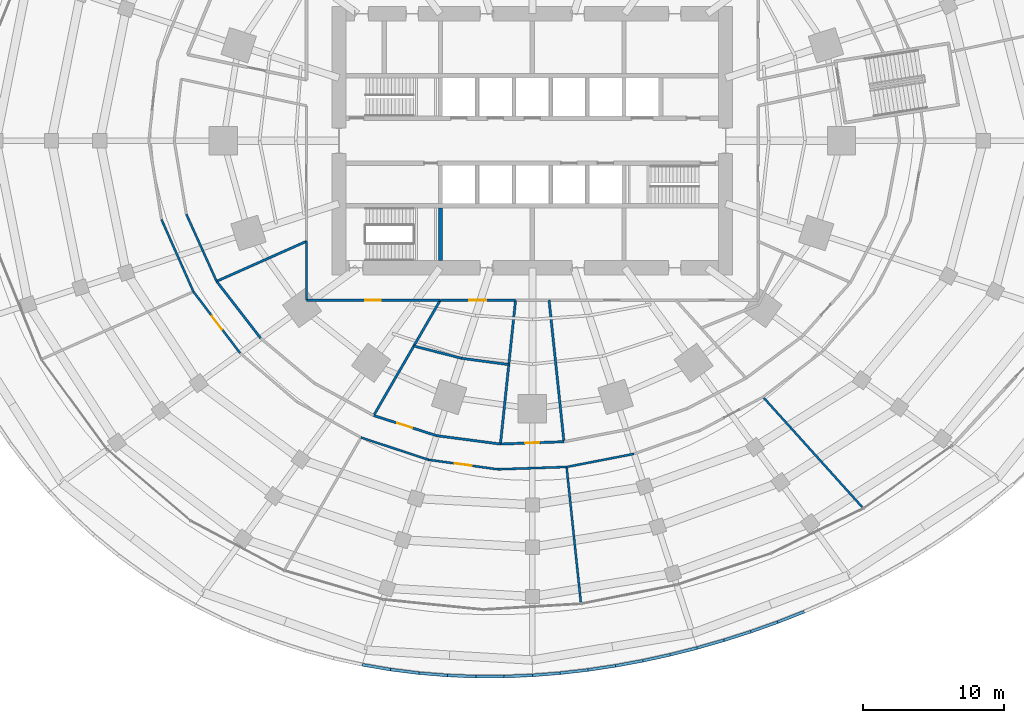
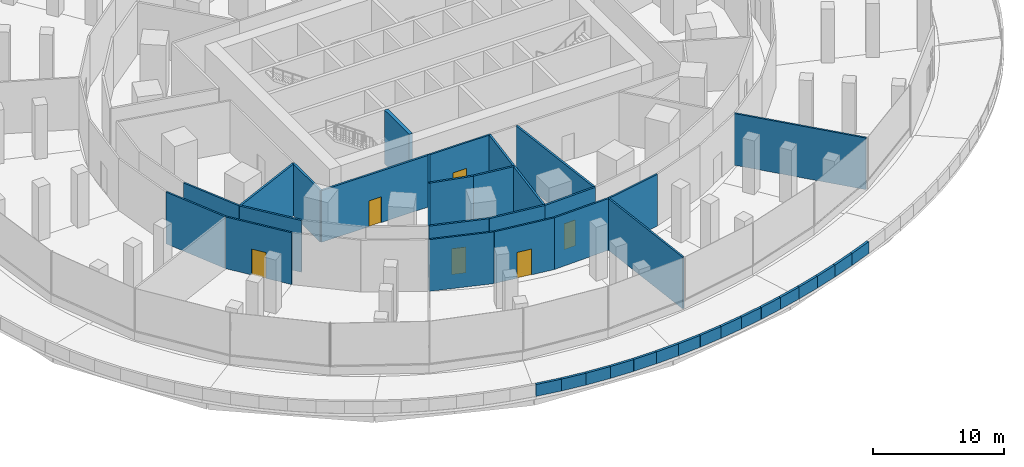
# One storey, part 22 of 31: 39 walls, 6 doors, 6 openings.
"""IFC4 building model written with IfcOpenShell, lengths in metres."""

from ifc_helpers import new_model, si_unit, direction, frame, frame_2d, origin, place, context, subcontext, project, spatial, rectangle, extrude, material, layer, layer_set, type_object, element, fill, save


model = new_model("IFC4")

# Units and contexts
model_context = context("Model", 3, precision=1e-05, world=origin(), true_north=direction((0.0, 1.0)))
body_context = subcontext(model_context, "Body", "Model", "MODEL_VIEW")
ifc_project = project(units=[si_unit("LENGTHUNIT", "METRE"), si_unit("AREAUNIT", "SQUARE_METRE"), si_unit("VOLUMEUNIT", "CUBIC_METRE"), si_unit("PLANEANGLEUNIT", "RADIAN"), si_unit("MASSUNIT", "GRAM", prefix="KILO")], contexts=[model_context])

# Site, building, storey
site_placement = place(None, origin())
site = spatial("IfcSite", under=ifc_project, at=site_placement, CompositionType="ELEMENT")
building_placement = place(site_placement, origin())
building = spatial("IfcBuilding", under=site, at=building_placement, Name="Marramba Exchange Tower", CompositionType="ELEMENT")
storey_placement = place(building_placement, frame((0.0, 0.0, 5.60009765625)))
storey = spatial("IfcBuildingStorey", under=building, at=storey_placement, Name="L01", CompositionType="ELEMENT", Elevation=5.60009765625)

# Walls
ifc_material_1 = material(Name="Plasterboard on staggered double steel studs, acoustic insulation", Category="steel")
ifc_layer_1 = layer(ifc_material_1, 0.169921875)
ifc_layer_set_1 = layer_set([ifc_layer_1], Name="Acoustic partition 170")
wall_type_1 = type_object("IfcWallType", Name="Acoustic partition 170", PredefinedType="PARTITIONING", material=ifc_layer_set_1)
wall_1_placement = place(storey_placement, frame((-16.0, -7.123779296875, 0.0), z_axis=(0.0, 0.0, 1.0), x_axis=(-0.913555829465, -0.406713346781, 0.0)))
element("IfcWall", 1, at=wall_1_placement, inside=storey, type_object=wall_type_1, Name="Acoustic partition L01 07", PredefinedType="PARTITIONING", context=body_context, shape_type="SweptSolid", body=[
    extrude(rectangle(XDim=6.973388671875, YDim=0.169921875, at=frame_2d((3.48681640625, 0.0))), origin(), (0.0, 0.0, 1.0), 4.7998046875),
])
wall_2_placement = place(storey_placement, frame((-19.251953125, -13.9873046875, 0.0), z_axis=(0.0, 0.0, 1.0), x_axis=(-0.612260193331, 0.790656344856, 0.0)))
element("IfcWall", 2, at=wall_2_placement, inside=storey, type_object=wall_type_1, Name="Acoustic partition L01 08", PredefinedType="PARTITIONING", context=body_context, shape_type="SweptSolid", body=[
    extrude(rectangle(XDim=5.09375, YDim=0.169921875, at=frame_2d((2.546875, 0.0))), origin(), (0.0, 0.0, 1.0), 4.7998046875),
])
wall_3_placement = place(storey_placement, frame((-16.0, -7.123779296875, 0.0), z_axis=(0.0, 0.0, 1.0), x_axis=(0.0, -1.0, 0.0)))
element("IfcWall", 3, at=wall_3_placement, inside=storey, type_object=wall_type_1, Name="Acoustic partition L01 10", PredefinedType="PARTITIONING", context=body_context, shape_type="SweptSolid", body=[
    extrude(rectangle(XDim=4.17626953125, YDim=0.169921875, at=frame_2d((2.088134765625, 0.0))), origin(), (0.0, 0.0, 1.0), 4.7998046875),
])

# Wall, opening, door
wall_4_placement = place(storey_placement, frame((-16.0, -11.300048828125, 0.0), z_axis=(0.0, 0.0, 1.0), x_axis=(1.0, 0.0, 0.0)))
wall_4 = element("IfcWall", 4, at=wall_4_placement, inside=storey, type_object=wall_type_1, Name="Acoustic partition L01 13", PredefinedType="PARTITIONING", context=body_context, shape_type="SweptSolid", body=[
    extrude(rectangle(XDim=9.475830078125, YDim=0.169921875, at=frame_2d((4.73779296875, 0.0))), origin(), (0.0, 0.0, 1.0), 4.7998046875),
])
opening_1_placement = place(wall_4_placement, frame((4.1630859375, 0.0, 0.0)))
opening_1 = element("IfcOpeningElement", 5, at=opening_1_placement, cuts=wall_4, Name="Opening D15", PredefinedType="OPENING", context=body_context, shape_type="SweptSolid", body=[
    extrude(rectangle(XDim=1.10009765625, YDim=2.39990234375, at=frame_2d((0.550048828125, 1.199951171875))), frame((0.0, 0.094970703125, 0.0), z_axis=(0.0, -1.0, 0.0), x_axis=(1.0, 0.0, 0.0)), (0.0, 0.0, 1.0), 0.18994140625),
])
ifc_material_2 = material(Name="Timber door", Category="wood")
door_type_1 = type_object("IfcDoorType", Name="Glazed meeting room door 1100x2400", OperationType="SINGLE_SWING_LEFT", PredefinedType="DOOR", material=ifc_material_2)
door_1_placement = place(opening_1_placement, origin())
door_1 = element("IfcDoor", 6, at=door_1_placement, inside=storey, type_object=door_type_1, Name="D15 Meeting Room 2 L01", OperationType="SINGLE_SWING_LEFT", OverallHeight=2.39990234375, OverallWidth=1.10009765625, PredefinedType="DOOR", context=body_context, shape_type="SweptSolid", body=[
    extrude(rectangle(XDim=1.10009765625, YDim=2.39990234375, at=frame_2d((0.550048828125, 1.199951171875))), frame((0.0, 0.02490234375, 0.0), z_axis=(0.0, -1.0, 0.0), x_axis=(1.0, 0.0, 0.0)), (0.0, 0.0, 1.0), 0.050048828125),
])
fill(opening_1, door_1)

# Walls
wall_5_placement = place(storey_placement, frame((-6.524169921875, -11.300048828125, 0.0), z_axis=(0.0, 0.0, 1.0), x_axis=(-0.499991277142, -0.86603043987, 0.0)))
element("IfcWall", 7, at=wall_5_placement, inside=storey, type_object=wall_type_1, Name="Acoustic partition L01 16", PredefinedType="PARTITIONING", context=body_context, shape_type="SweptSolid", body=[
    extrude(rectangle(XDim=9.433837890625, YDim=0.169921875, at=frame_2d((4.716796875, 0.0))), origin(), (0.0, 0.0, 1.0), 4.7998046875),
])
wall_6_placement = place(storey_placement, frame((-5.00830078125, -15.414306640625, 0.0), z_axis=(0.0, 0.0, 1.0), x_axis=(-0.968562622374, 0.248769866625, 0.0)))
element("IfcWall", 8, at=wall_6_placement, inside=storey, type_object=wall_type_1, Name="Acoustic partition L01 18", PredefinedType="PARTITIONING", context=body_context, shape_type="SweptSolid", body=[
    extrude(rectangle(XDim=3.498779296875, YDim=0.169921875, at=frame_2d((1.74951171875, 0.0))), origin(), (0.0, 0.0, 1.0), 4.7998046875),
])

# Wall, opening, door
wall_7_placement = place(storey_placement, frame((-6.78955078125, -20.896240234375, 0.0), z_axis=(0.0, 0.0, 1.0), x_axis=(-0.952311283162, 0.305128202503, 0.0)))
wall_7 = element("IfcWall", 9, at=wall_7_placement, inside=storey, type_object=wall_type_1, Name="Acoustic partition L01 19", PredefinedType="PARTITIONING", context=body_context, shape_type="SweptSolid", body=[
    extrude(rectangle(XDim=4.67431640625, YDim=0.169921875, at=frame_2d((2.337158203125, 0.0))), origin(), (0.0, 0.0, 1.0), 4.7998046875),
])
opening_2_placement = place(wall_7_placement, frame((1.81201171875, 0.0, 0.0)))
opening_2 = element("IfcOpeningElement", 10, at=opening_2_placement, cuts=wall_7, Name="Opening D15", PredefinedType="OPENING", context=body_context, shape_type="SweptSolid", body=[
    extrude(rectangle(XDim=1.10009765625, YDim=2.39990234375, at=frame_2d((0.550048828125, 1.199951171875))), frame((0.0, 0.094970703125, 0.0), z_axis=(0.0, -1.0, 0.0), x_axis=(1.0, 0.0, 0.0)), (0.0, 0.0, 1.0), 0.18994140625),
])
door_2_placement = place(opening_2_placement, frame((1.10009765625, 0.0, 0.0), z_axis=(0.0, 0.0, 1.0), x_axis=(-1.0, 0.0, 0.0)))
door_2 = element("IfcDoor", 11, at=door_2_placement, inside=storey, type_object=door_type_1, Name="D15 Meeting Room 5 L01", OperationType="SINGLE_SWING_LEFT", OverallHeight=2.39990234375, OverallWidth=1.10009765625, PredefinedType="DOOR", context=body_context, shape_type="SweptSolid", body=[
    extrude(rectangle(XDim=1.10009765625, YDim=2.39990234375, at=frame_2d((0.550048828125, 1.199951171875))), frame((0.0, 0.025146484375, 0.0), z_axis=(0.0, -1.0, 0.0), x_axis=(1.0, 0.0, 0.0)), (0.0, 0.0, 1.0), 0.050048828125),
])
fill(opening_2, door_2)

# Walls
wall_8_placement = place(storey_placement, frame((-2.2587890625, -21.4912109375, 0.0), z_axis=(0.0, 0.0, 1.0), x_axis=(-0.991487722643, 0.130200214467, 0.0)))
element("IfcWall", 12, at=wall_8_placement, inside=storey, type_object=wall_type_1, Name="Acoustic partition L01 22", PredefinedType="PARTITIONING", context=body_context, shape_type="SweptSolid", body=[
    extrude(rectangle(XDim=4.569580078125, YDim=0.169921875, at=frame_2d((2.28466796875, 0.0))), origin(), (0.0, 0.0, 1.0), 4.7998046875),
])
wall_9_placement = place(storey_placement, frame((-1.6669921875, -15.861083984375, 0.0), z_axis=(0.0, 0.0, 1.0), x_axis=(-0.991178495561, 0.132533731322, 0.0)))
element("IfcWall", 13, at=wall_9_placement, inside=storey, type_object=wall_type_1, Name="Acoustic partition L01 23", PredefinedType="PARTITIONING", context=body_context, shape_type="SweptSolid", body=[
    extrude(rectangle(XDim=3.37109375, YDim=0.169921875, at=frame_2d((1.685546875, 0.0))), origin(), (0.0, 0.0, 1.0), 4.7998046875),
])
wall_10_placement = place(storey_placement, frame((-2.2587890625, -21.4912109375, 0.0), z_axis=(0.0, 0.0, 1.0), x_axis=(0.104519836442, 0.994522802046, 0.0)))
element("IfcWall", 14, at=wall_10_placement, inside=storey, type_object=wall_type_1, Name="Acoustic partition L01 25", PredefinedType="PARTITIONING", context=body_context, shape_type="SweptSolid", body=[
    extrude(rectangle(XDim=10.247314453125, YDim=0.169921875, at=frame_2d((5.12353515625, 0.0))), origin(), (0.0, 0.0, 1.0), 4.7998046875),
])

# Wall, opening, door
wall_11_placement = place(storey_placement, frame((2.2412109375, -21.32470703125, 0.0), z_axis=(0.0, 0.0, 1.0), x_axis=(-0.999316169957, -0.03697556575, 0.0)))
wall_11 = element("IfcWall", 15, at=wall_11_placement, inside=storey, type_object=wall_type_1, Name="Acoustic partition L01 26", PredefinedType="PARTITIONING", context=body_context, shape_type="SweptSolid", body=[
    extrude(rectangle(XDim=4.503173828125, YDim=0.169921875, at=frame_2d((2.25146484375, 0.0))), origin(), (0.0, 0.0, 1.0), 4.7998046875),
])
opening_3_placement = place(wall_11_placement, frame((1.751953125, 0.0, 0.0)))
opening_3 = element("IfcOpeningElement", 16, at=opening_3_placement, cuts=wall_11, Name="Opening D9", PredefinedType="OPENING", context=body_context, shape_type="SweptSolid", body=[
    extrude(rectangle(XDim=1.0, YDim=2.39990234375, at=frame_2d((0.5, 1.199951171875))), frame((0.0, 0.094970703125, 0.0), z_axis=(0.0, -1.0, 0.0), x_axis=(1.0, 0.0, 0.0)), (0.0, 0.0, 1.0), 0.18994140625),
])
door_type_2 = type_object("IfcDoorType", Name="Room door 1000x2400", OperationType="SINGLE_SWING_LEFT", PredefinedType="DOOR", material=ifc_material_2)
door_3_placement = place(opening_3_placement, frame((1.0, 0.0, 0.0), z_axis=(0.0, 0.0, 1.0), x_axis=(-1.0, 0.0, 0.0)))
door_3 = element("IfcDoor", 17, at=door_3_placement, inside=storey, type_object=door_type_2, Name="D9 Interview Room 1 L01", OperationType="SINGLE_SWING_RIGHT", OverallHeight=2.39990234375, OverallWidth=1.0, PredefinedType="DOOR", context=body_context, shape_type="SweptSolid", body=[
    extrude(rectangle(XDim=1.0, YDim=2.39990234375, at=frame_2d((0.5, 1.199951171875))), frame((0.0, 0.025146484375, 0.0), z_axis=(0.0, -1.0, 0.0), x_axis=(1.0, 0.0, 0.0)), (0.0, 0.0, 1.0), 0.050048828125),
])
fill(opening_3, door_3)

# Walls
wall_12_placement = place(storey_placement, frame((1.187744140625, -11.300048828125, 0.0), z_axis=(0.0, 0.0, 1.0), x_axis=(0.104512053293, -0.994523619989, 0.0)))
element("IfcWall", 18, at=wall_12_placement, inside=storey, type_object=wall_type_1, Name="Acoustic partition L01 28", PredefinedType="PARTITIONING", context=body_context, shape_type="SweptSolid", body=[
    extrude(rectangle(XDim=10.079833984375, YDim=0.169921875, at=frame_2d((5.0400390625, 0.0))), origin(), (0.0, 0.0, 1.0), 4.7998046875),
])
ifc_material_3 = material(Name="Concrete N50", Category="concrete")
ifc_layer_2 = layer(ifc_material_3, 0.300048828125)
ifc_layer_set_2 = layer_set([ifc_layer_2], Name="Core wall 300")
wall_type_2 = type_object("IfcWallType", Name="Core wall 300", PredefinedType="SHEAR", material=ifc_layer_set_2)
wall_13_placement = place(storey_placement, frame((-6.5, -4.75, 0.0), z_axis=(0.0, 0.0, 1.0), x_axis=(0.0, -1.0, 0.0)))
element("IfcWall", 19, at=wall_13_placement, inside=storey, type_object=wall_type_2, Name="Core wall X0Sb L01", PredefinedType="SHEAR", context=body_context, shape_type="SweptSolid", body=[
    extrude(rectangle(XDim=3.75, YDim=0.300048828125, at=frame_2d((1.875, 0.0))), origin(), (0.0, 0.0, 1.0), 5.0),
])
ifc_material_4 = material(Name="Concrete N40", Category="concrete")
ifc_layer_3 = layer(ifc_material_4, 0.199951171875)
ifc_layer_set_3 = layer_set([ifc_layer_3], Name="Roof parapet 200")
wall_type_3 = type_object("IfcWallType", Name="Roof parapet 200", PredefinedType="PARAPET", material=ifc_layer_set_3)
wall_14_placement = place(storey_placement, frame((-12.0625, -37.12451171875, 0.0), z_axis=(0.0, 0.0, 1.0), x_axis=(0.985597896251, -0.169105845276, 0.0)))
element("IfcWall", 20, at=wall_14_placement, inside=storey, type_object=wall_type_3, Name="Parapet L01 bay 15", PredefinedType="PARAPET", context=body_context, shape_type="SweptSolid", body=[
    extrude(rectangle(XDim=2.051513671875, YDim=0.199951171875, at=frame_2d((1.02587890625, 0.0))), origin(), (0.0, 0.0, 1.0), 1.099853515625),
])
wall_15_placement = place(storey_placement, frame((-10.04052734375, -37.471435546875, 0.0), z_axis=(0.0, 0.0, 1.0), x_axis=(0.992252050382, -0.124241170761, 0.0)))
element("IfcWall", 21, at=wall_15_placement, inside=storey, type_object=wall_type_3, Name="Parapet L01 bay 15", PredefinedType="PARAPET", context=body_context, shape_type="SweptSolid", body=[
    extrude(rectangle(XDim=2.037841796875, YDim=0.199951171875, at=frame_2d((1.01904296875, 0.0))), origin(), (0.0, 0.0, 1.0), 1.099853515625),
])
wall_16_placement = place(storey_placement, frame((-8.0185546875, -37.724609375, 0.0), z_axis=(0.0, 0.0, 1.0), x_axis=(0.996729573251, -0.080809391829, 0.0)))
element("IfcWall", 22, at=wall_16_placement, inside=storey, type_object=wall_type_3, Name="Parapet L01 bay 15", PredefinedType="PARAPET", context=body_context, shape_type="SweptSolid", body=[
    extrude(rectangle(XDim=2.024169921875, YDim=0.199951171875, at=frame_2d((1.01220703125, 0.0))), origin(), (0.0, 0.0, 1.0), 1.099853515625),
])
wall_17_placement = place(storey_placement, frame((-6.0009765625, -37.88818359375, 0.0), z_axis=(0.0, 0.0, 1.0), x_axis=(0.999255248024, -0.038586905752, 0.0)))
element("IfcWall", 23, at=wall_17_placement, inside=storey, type_object=wall_type_3, Name="Parapet L01 bay 15", PredefinedType="PARAPET", context=body_context, shape_type="SweptSolid", body=[
    extrude(rectangle(XDim=2.011962890625, YDim=0.199951171875, at=frame_2d((1.005859375, 0.0))), origin(), (0.0, 0.0, 1.0), 1.099853515625),
])
wall_18_placement = place(storey_placement, frame((-3.990478515625, -37.9658203125, 0.0), z_axis=(0.0, 0.0, 1.0), x_axis=(0.99999784889, 0.002074178066, 0.0)))
element("IfcWall", 24, at=wall_18_placement, inside=storey, type_object=wall_type_3, Name="Parapet L01 bay 15", PredefinedType="PARAPET", context=body_context, shape_type="SweptSolid", body=[
    extrude(rectangle(XDim=2.0009765625, YDim=0.199951171875, at=frame_2d((1.00048828125, 0.0))), origin(), (0.0, 0.0, 1.0), 1.099853515625),
])
wall_19_placement = place(storey_placement, frame((-1.989501953125, -37.961669921875, 0.0), z_axis=(0.0, 0.0, 1.0), x_axis=(0.999156080644, 0.041074645603, 0.0)))
element("IfcWall", 25, at=wall_19_placement, inside=storey, type_object=wall_type_3, Name="Parapet L01 bay 15", PredefinedType="PARAPET", context=body_context, shape_type="SweptSolid", body=[
    extrude(rectangle(XDim=1.9912109375, YDim=0.199951171875, at=frame_2d((0.99560546875, 0.0))), origin(), (0.0, 0.0, 1.0), 1.099853515625),
])
wall_20_placement = place(storey_placement, frame((0.0, -37.8798828125, 0.0), z_axis=(0.0, 0.0, 1.0), x_axis=(0.996910844446, 0.078541506391, 0.0)))
element("IfcWall", 26, at=wall_20_placement, inside=storey, type_object=wall_type_3, Name="Parapet L01 bay 16", PredefinedType="PARAPET", context=body_context, shape_type="SweptSolid", body=[
    extrude(rectangle(XDim=1.983154296875, YDim=0.199951171875, at=frame_2d((0.99169921875, 0.0))), origin(), (0.0, 0.0, 1.0), 1.099853515625),
])
wall_21_placement = place(storey_placement, frame((1.97705078125, -37.72412109375, 0.0), z_axis=(0.0, 0.0, 1.0), x_axis=(0.993440805312, 0.114347568144, 0.0)))
element("IfcWall", 27, at=wall_21_placement, inside=storey, type_object=wall_type_3, Name="Parapet L01 bay 16", PredefinedType="PARAPET", context=body_context, shape_type="SweptSolid", body=[
    extrude(rectangle(XDim=1.97705078125, YDim=0.199951171875, at=frame_2d((0.988525390625, 0.0))), origin(), (0.0, 0.0, 1.0), 1.099853515625),
])
wall_22_placement = place(storey_placement, frame((3.941162109375, -37.498046875, 0.0), z_axis=(0.0, 0.0, 1.0), x_axis=(0.98884451305, 0.148951431717, 0.0)))
element("IfcWall", 28, at=wall_22_placement, inside=storey, type_object=wall_type_3, Name="Parapet L01 bay 16", PredefinedType="PARAPET", context=body_context, shape_type="SweptSolid", body=[
    extrude(rectangle(XDim=1.973388671875, YDim=0.199951171875, at=frame_2d((0.98681640625, 0.0))), origin(), (0.0, 0.0, 1.0), 1.099853515625),
])
wall_23_placement = place(storey_placement, frame((5.892578125, -37.2041015625, 0.0), z_axis=(0.0, 0.0, 1.0), x_axis=(0.983302521759, 0.181978434721, 0.0)))
element("IfcWall", 29, at=wall_23_placement, inside=storey, type_object=wall_type_3, Name="Parapet L01 bay 16", PredefinedType="PARAPET", context=body_context, shape_type="SweptSolid", body=[
    extrude(rectangle(XDim=1.97216796875, YDim=0.199951171875, at=frame_2d((0.986083984375, 0.0))), origin(), (0.0, 0.0, 1.0), 1.099853515625),
])
wall_24_placement = place(storey_placement, frame((7.831787109375, -36.84521484375, 0.0), z_axis=(0.0, 0.0, 1.0), x_axis=(0.976854798587, 0.213903488698, 0.0)))
element("IfcWall", 30, at=wall_24_placement, inside=storey, type_object=wall_type_3, Name="Parapet L01 bay 16", PredefinedType="PARAPET", context=body_context, shape_type="SweptSolid", body=[
    extrude(rectangle(XDim=1.973388671875, YDim=0.199951171875, at=frame_2d((0.98681640625, 0.0))), origin(), (0.0, 0.0, 1.0), 1.099853515625),
])
wall_25_placement = place(storey_placement, frame((9.759521484375, -36.423095703125, 0.0), z_axis=(0.0, 0.0, 1.0), x_axis=(0.969522222507, 0.245003387865, 0.0)))
element("IfcWall", 31, at=wall_25_placement, inside=storey, type_object=wall_type_3, Name="Parapet L01 bay 16", PredefinedType="PARAPET", context=body_context, shape_type="SweptSolid", body=[
    extrude(rectangle(XDim=1.97802734375, YDim=0.199951171875, at=frame_2d((0.989013671875, 0.0))), origin(), (0.0, 0.0, 1.0), 1.099853515625),
])
wall_26_placement = place(storey_placement, frame((11.67724609375, -35.9384765625, 0.0), z_axis=(0.0, 0.0, 1.0), x_axis=(0.961375296718, 0.275240874255, 0.0)))
element("IfcWall", 32, at=wall_26_placement, inside=storey, type_object=wall_type_3, Name="Parapet L01 bay 17", PredefinedType="PARAPET", context=body_context, shape_type="SweptSolid", body=[
    extrude(rectangle(XDim=1.985107421875, YDim=0.199951171875, at=frame_2d((0.99267578125, 0.0))), origin(), (0.0, 0.0, 1.0), 1.099853515625),
])
wall_27_placement = place(storey_placement, frame((13.585693359375, -35.39208984375, 0.0), z_axis=(0.0, 0.0, 1.0), x_axis=(0.952289125088, 0.305197349659, 0.0)))
element("IfcWall", 33, at=wall_27_placement, inside=storey, type_object=wall_type_3, Name="Parapet L01 bay 17", PredefinedType="PARAPET", context=body_context, shape_type="SweptSolid", body=[
    extrude(rectangle(XDim=1.995849609375, YDim=0.199951171875, at=frame_2d((0.998046875, 0.0))), origin(), (0.0, 0.0, 1.0), 1.099853515625),
])
wall_28_placement = place(storey_placement, frame((15.486328125, -34.782958984375, 0.0), z_axis=(0.0, 0.0, 1.0), x_axis=(0.942189120979, 0.335081572619, 0.0)))
element("IfcWall", 34, at=wall_28_placement, inside=storey, type_object=wall_type_3, Name="Parapet L01 bay 17", PredefinedType="PARAPET", context=body_context, shape_type="SweptSolid", body=[
    extrude(rectangle(XDim=2.009521484375, YDim=0.199951171875, at=frame_2d((1.0048828125, 0.0))), origin(), (0.0, 0.0, 1.0), 1.099853515625),
])
wall_29_placement = place(storey_placement, frame((17.379638671875, -34.109619140625, 0.0), z_axis=(0.0, 0.0, 1.0), x_axis=(0.930940274783, 0.365171473129, 0.0)))
element("IfcWall", 35, at=wall_29_placement, inside=storey, type_object=wall_type_3, Name="Parapet L01 bay 17", PredefinedType="PARAPET", context=body_context, shape_type="SweptSolid", body=[
    extrude(rectangle(XDim=2.0263671875, YDim=0.199951171875, at=frame_2d((1.01318359375, 0.0))), origin(), (0.0, 0.0, 1.0), 1.099853515625),
])
ifc_material_5 = material(Name="Fire-rated plasterboard on steel studs, acoustic insulation", Category="steel")
ifc_layer_4 = layer(ifc_material_5, 0.14990234375)
ifc_layer_set_4 = layer_set([ifc_layer_4], Name="Tenancy wall 150")
wall_type_4 = type_object("IfcWallType", Name="Tenancy wall 150", PredefinedType="PARTITIONING", material=ifc_layer_set_4)
wall_30_placement = place(storey_placement, frame((-22.37060546875, -9.9599609375, 0.0), z_axis=(0.0, 0.0, 1.0), x_axis=(-0.411114624312, 0.911583658079, 0.0)))
element("IfcWall", 36, at=wall_30_placement, inside=storey, type_object=wall_type_4, Name="Tenancy wall L01 04", PredefinedType="PARTITIONING", context=body_context, shape_type="SweptSolid", body=[
    extrude(rectangle(XDim=5.21044921875, YDim=0.14990234375, at=frame_2d((2.605224609375, 0.0))), origin(), (0.0, 0.0, 1.0), 4.7998046875),
])
wall_31_placement = place(storey_placement, frame((-26.2734375, -5.584716796875, 0.0), z_axis=(0.0, 0.0, 1.0), x_axis=(0.404430072411, -0.914568923882, 0.0)))
element("IfcWall", 37, at=wall_31_placement, inside=storey, type_object=wall_type_4, Name="Tenancy wall L01 05", PredefinedType="PARTITIONING", context=body_context, shape_type="SweptSolid", body=[
    extrude(rectangle(XDim=5.58447265625, YDim=0.14990234375, at=frame_2d((2.792236328125, 0.0))), origin(), (0.0, 0.0, 1.0), 4.7998046875),
])

# Wall, opening, door
wall_32_placement = place(storey_placement, frame((-24.014892578125, -10.692138671875, 0.0), z_axis=(0.0, 0.0, 1.0), x_axis=(0.604897551992, -0.79630330377, 0.0)))
wall_32 = element("IfcWall", 38, at=wall_32_placement, inside=storey, type_object=wall_type_4, Name="Tenancy wall L01 09", PredefinedType="PARTITIONING", context=body_context, shape_type="SweptSolid", body=[
    extrude(rectangle(XDim=5.466796875, YDim=0.14990234375, at=frame_2d((2.7333984375, 0.0))), origin(), (0.0, 0.0, 1.0), 4.7998046875),
])
opening_4_placement = place(wall_32_placement, frame((2.157958984375, 0.0, 0.0)))
opening_4 = element("IfcOpeningElement", 39, at=opening_4_placement, cuts=wall_32, Name="Opening D13", PredefinedType="OPENING", context=body_context, shape_type="SweptSolid", body=[
    extrude(rectangle(XDim=1.199951171875, YDim=2.39990234375, at=frame_2d((0.60009765625, 1.199951171875))), frame((0.0, 0.0849609375, 0.0), z_axis=(0.0, -1.0, 0.0), x_axis=(1.0, 0.0, 0.0)), (0.0, 0.0, 1.0), 0.169921875),
])
ifc_material_6 = material(Name="Steel-framed door", Category="steel")
door_type_3 = type_object("IfcDoorType", Name="Tenancy entry door 1200x2400", OperationType="SINGLE_SWING_LEFT", PredefinedType="DOOR", material=ifc_material_6)
door_4_placement = place(opening_4_placement, origin())
door_4 = element("IfcDoor", 40, at=door_4_placement, inside=storey, type_object=door_type_3, Name="D13 Technical Services Office L01", OperationType="SINGLE_SWING_LEFT", OverallHeight=2.39990234375, OverallWidth=1.199951171875, PredefinedType="DOOR", context=body_context, shape_type="SweptSolid", body=[
    extrude(rectangle(XDim=1.199951171875, YDim=2.39990234375, at=frame_2d((0.60009765625, 1.199951171875))), frame((0.0, 0.02490234375, 0.0), z_axis=(0.0, -1.0, 0.0), x_axis=(1.0, 0.0, 0.0)), (0.0, 0.0, 1.0), 0.050048828125),
])
fill(opening_4, door_4)

# Wall
wall_33_placement = place(storey_placement, frame((-12.14111328125, -21.02880859375, 0.0), z_axis=(0.0, 0.0, 1.0), x_axis=(0.949808812445, -0.312830976412, 0.0)))
element("IfcWall", 41, at=wall_33_placement, inside=storey, type_object=wall_type_4, Name="Tenancy wall L01 20", PredefinedType="PARTITIONING", context=body_context, shape_type="SweptSolid", body=[
    extrude(rectangle(XDim=5.048583984375, YDim=0.14990234375, at=frame_2d((2.5244140625, 0.0))), origin(), (0.0, 0.0, 1.0), 4.7998046875),
])

# Wall, opening, door
wall_34_placement = place(storey_placement, frame((-6.524169921875, -11.300048828125, 0.0), z_axis=(0.0, 0.0, 1.0), x_axis=(1.0, 0.0, 0.0)))
wall_34 = element("IfcWall", 42, at=wall_34_placement, inside=storey, type_object=wall_type_4, Name="Tenancy wall L01 21", PredefinedType="PARTITIONING", context=body_context, shape_type="SweptSolid", body=[
    extrude(rectangle(XDim=5.33642578125, YDim=0.14990234375, at=frame_2d((2.668212890625, 0.0))), origin(), (0.0, 0.0, 1.0), 4.7998046875),
])
opening_5_placement = place(wall_34_placement, frame((2.068115234375, 0.0, 0.0)))
opening_5 = element("IfcOpeningElement", 43, at=opening_5_placement, cuts=wall_34, Name="Opening D13", PredefinedType="OPENING", context=body_context, shape_type="SweptSolid", body=[
    extrude(rectangle(XDim=1.199951171875, YDim=2.39990234375, at=frame_2d((0.60009765625, 1.199951171875))), frame((0.0, 0.0849609375, 0.0), z_axis=(0.0, -1.0, 0.0), x_axis=(1.0, 0.0, 0.0)), (0.0, 0.0, 1.0), 0.169921875),
])
door_5_placement = place(opening_5_placement, frame((1.199951171875, 0.0, 0.0), z_axis=(0.0, 0.0, 1.0), x_axis=(-1.0, 0.0, 0.0)))
door_5 = element("IfcDoor", 44, at=door_5_placement, inside=storey, type_object=door_type_3, Name="D13 Print Room L01", OperationType="SINGLE_SWING_LEFT", OverallHeight=2.39990234375, OverallWidth=1.199951171875, PredefinedType="DOOR", context=body_context, shape_type="SweptSolid", body=[
    extrude(rectangle(XDim=1.199951171875, YDim=2.39990234375, at=frame_2d((0.599853515625, 1.199951171875))), frame((0.0, 0.025146484375, 0.0), z_axis=(0.0, -1.0, 0.0), x_axis=(1.0, 0.0, 0.0)), (0.0, 0.0, 1.0), 0.050048828125),
])
fill(opening_5, door_5)

wall_35_placement = place(storey_placement, frame((-7.345947265625, -22.608154296875, 0.0), z_axis=(0.0, 0.0, 1.0), x_axis=(0.990692659729, -0.136117794422, 0.0)))
wall_35 = element("IfcWall", 45, at=wall_35_placement, inside=storey, type_object=wall_type_4, Name="Tenancy wall L01 24", PredefinedType="PARTITIONING", context=body_context, shape_type="SweptSolid", body=[
    extrude(rectangle(XDim=4.945068359375, YDim=0.14990234375, at=frame_2d((2.47265625, 0.0))), origin(), (0.0, 0.0, 1.0), 4.7998046875),
])
opening_6_placement = place(wall_35_placement, frame((1.8720703125, 0.0, 0.0)))
opening_6 = element("IfcOpeningElement", 46, at=opening_6_placement, cuts=wall_35, Name="Opening D13", PredefinedType="OPENING", context=body_context, shape_type="SweptSolid", body=[
    extrude(rectangle(XDim=1.199951171875, YDim=2.39990234375, at=frame_2d((0.60009765625, 1.199951171875))), frame((0.0, 0.0849609375, 0.0), z_axis=(0.0, -1.0, 0.0), x_axis=(1.0, 0.0, 0.0)), (0.0, 0.0, 1.0), 0.169921875),
])
door_6_placement = place(opening_6_placement, origin())
door_6 = element("IfcDoor", 47, at=door_6_placement, inside=storey, type_object=door_type_3, Name="D13 Change Management Office L01", OperationType="SINGLE_SWING_LEFT", OverallHeight=2.39990234375, OverallWidth=1.199951171875, PredefinedType="DOOR", context=body_context, shape_type="SweptSolid", body=[
    extrude(rectangle(XDim=1.199951171875, YDim=2.39990234375, at=frame_2d((0.60009765625, 1.199951171875))), frame((0.0, 0.02490234375, 0.0), z_axis=(0.0, -1.0, 0.0), x_axis=(1.0, 0.0, 0.0)), (0.0, 0.0, 1.0), 0.050048828125),
])
fill(opening_6, door_6)

# Walls
wall_36_placement = place(storey_placement, frame((-2.447021484375, -23.28125, 0.0), z_axis=(0.0, 0.0, 1.0), x_axis=(0.999419294802, 0.034074523869, 0.0)))
element("IfcWall", 48, at=wall_36_placement, inside=storey, type_object=wall_type_4, Name="Tenancy wall L01 27", PredefinedType="PARTITIONING", context=body_context, shape_type="SweptSolid", body=[
    extrude(rectangle(XDim=4.87939453125, YDim=0.14990234375, at=frame_2d((2.439697265625, 0.0))), origin(), (0.0, 0.0, 1.0), 4.7998046875),
])
wall_37_placement = place(storey_placement, frame((2.429443359375, -23.114990234375, 0.0), z_axis=(0.0, 0.0, 1.0), x_axis=(0.104544233856, -0.994520237686, 0.0)))
element("IfcWall", 49, at=wall_37_placement, inside=storey, type_object=wall_type_4, Name="Tenancy wall L01 29", PredefinedType="PARTITIONING", context=body_context, shape_type="SweptSolid", body=[
    extrude(rectangle(XDim=9.675048828125, YDim=0.14990234375, at=frame_2d((4.83740234375, 0.0))), origin(), (0.0, 0.0, 1.0), 4.7998046875),
])
wall_38_placement = place(storey_placement, frame((2.429443359375, -23.114990234375, 0.0), z_axis=(0.0, 0.0, 1.0), x_axis=(0.981647737098, 0.190703225592, 0.0)))
element("IfcWall", 50, at=wall_38_placement, inside=storey, type_object=wall_type_4, Name="Tenancy wall L01 30", PredefinedType="PARTITIONING", context=body_context, shape_type="SweptSolid", body=[
    extrude(rectangle(XDim=4.86865234375, YDim=0.14990234375, at=frame_2d((2.434326171875, 0.0))), origin(), (0.0, 0.0, 1.0), 4.7998046875),
])
wall_39_placement = place(storey_placement, frame((23.406005859375, -25.9951171875, 0.0), z_axis=(0.0, 0.0, 1.0), x_axis=(-0.669133538754, 0.743142185126, 0.0)))
element("IfcWall", 51, at=wall_39_placement, inside=storey, type_object=wall_type_4, Name="Tenancy wall L01 37", PredefinedType="PARTITIONING", context=body_context, shape_type="SweptSolid", body=[
    extrude(rectangle(XDim=10.54638671875, YDim=0.14990234375, at=frame_2d((5.273193359375, 0.0))), origin(), (0.0, 0.0, 1.0), 4.7998046875),
])

save(model, "model.ifc")
